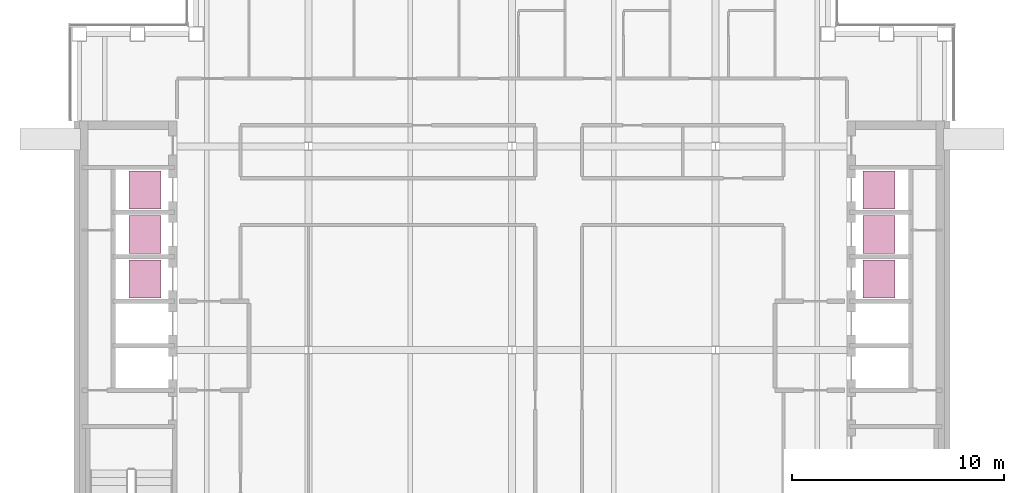
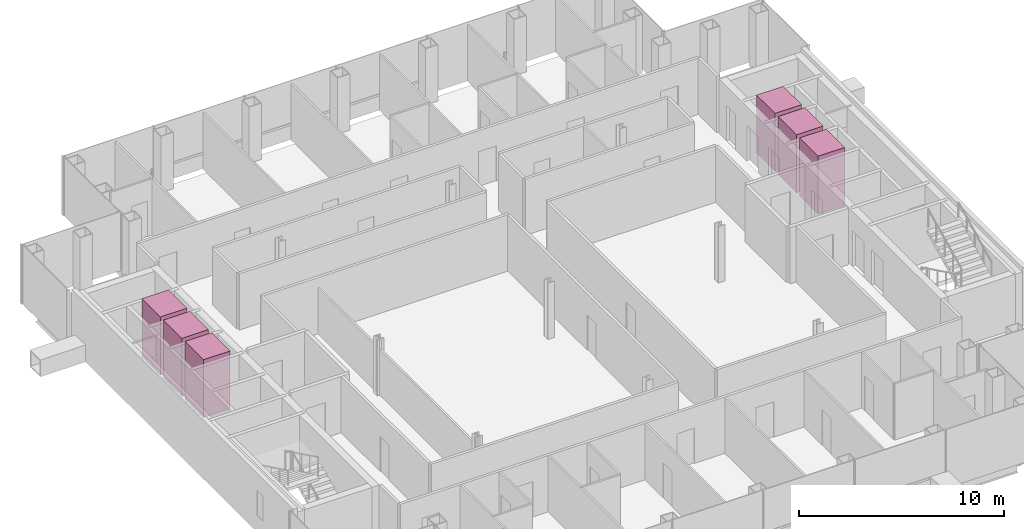
# One storey, part 14 of 14: 6 transport elements.
"""IFC4 building model written with IfcOpenShell, lengths in metres."""

from ifc_helpers import new_model, si_unit, direction, frame, origin, origin_2d, place, context, subcontext, project, spatial, rectangle, extrude, material, type_object, element, save


model = new_model("IFC4")

# Units and contexts
model_context = context("Model", 3, precision=1e-05, world=origin(), true_north=direction((0.0, 1.0)))
body_context = subcontext(model_context, "Body", "Model", "MODEL_VIEW")
ifc_project = project(units=[si_unit("LENGTHUNIT", "METRE"), si_unit("AREAUNIT", "SQUARE_METRE"), si_unit("VOLUMEUNIT", "CUBIC_METRE"), si_unit("PLANEANGLEUNIT", "RADIAN"), si_unit("MASSUNIT", "GRAM", prefix="KILO")], contexts=[model_context])

# Site, building, storey
site_placement = place(None, origin())
site = spatial("IfcSite", under=ifc_project, at=site_placement, CompositionType="ELEMENT")
building_placement = place(site_placement, origin())
building = spatial("IfcBuilding", under=site, at=building_placement, Name="Cobrizo Arcos Hotel Tower", CompositionType="ELEMENT")
storey_placement = place(building_placement, frame((0.0, 0.0, 208.5)))
storey = spatial("IfcBuildingStorey", under=building, at=storey_placement, Name="L54", CompositionType="ELEMENT", Elevation=208.5)

# Transport elements
ifc_material = material(Name="Stainless steel car", Category="steel")
transport_element_type = type_object("IfcTransportElementType", Name="Lift car High 1.8x1.5", PredefinedType="ELEVATOR", material=ifc_material)
for number, where, z_axis, x_axis, name in (
    (1, (-17.300048828125, 3.35009765625, 0.0), (0.0, 0.0, 1.0), (1.0, 0.0, 0.0), "High-rise passenger lift W1"),
    (2, (-17.300048828125, 5.449951171875, 0.0), (0.0, 0.0, 1.0), (1.0, 0.0, 0.0), "High-rise passenger lift W2"),
    (3, (-17.300048828125, 7.550048828125, 0.0), (0.0, 0.0, 1.0), (1.0, 0.0, 0.0), "High-rise passenger lift W3"),
    (4, (17.300048828125, 3.35009765625, 0.0), (0.0, 0.0, 1.0), (1.0, 0.0, 0.0), "High-rise passenger lift E1"),
    (5, (17.300048828125, 5.449951171875, 0.0), (0.0, 0.0, 1.0), (1.0, 0.0, 0.0), "High-rise passenger lift E2"),
    (6, (17.300048828125, 7.550048828125, 0.0), (0.0, 0.0, 1.0), (1.0, 0.0, 0.0), "High-rise passenger lift E3"),
):
    element("IfcTransportElement", number, at=place(storey_placement, frame(where, z_axis=z_axis, x_axis=x_axis)), inside=storey, type_object=transport_element_type, Name=name, PredefinedType="ELEVATOR", context=body_context, shape_type="SweptSolid", body=[
        extrude(rectangle(XDim=1.5, YDim=1.800048828125, at=origin_2d()), origin(), (0.0, 0.0, 1.0), 3.449951171875),
    ])

save(model, "model.ifc")
